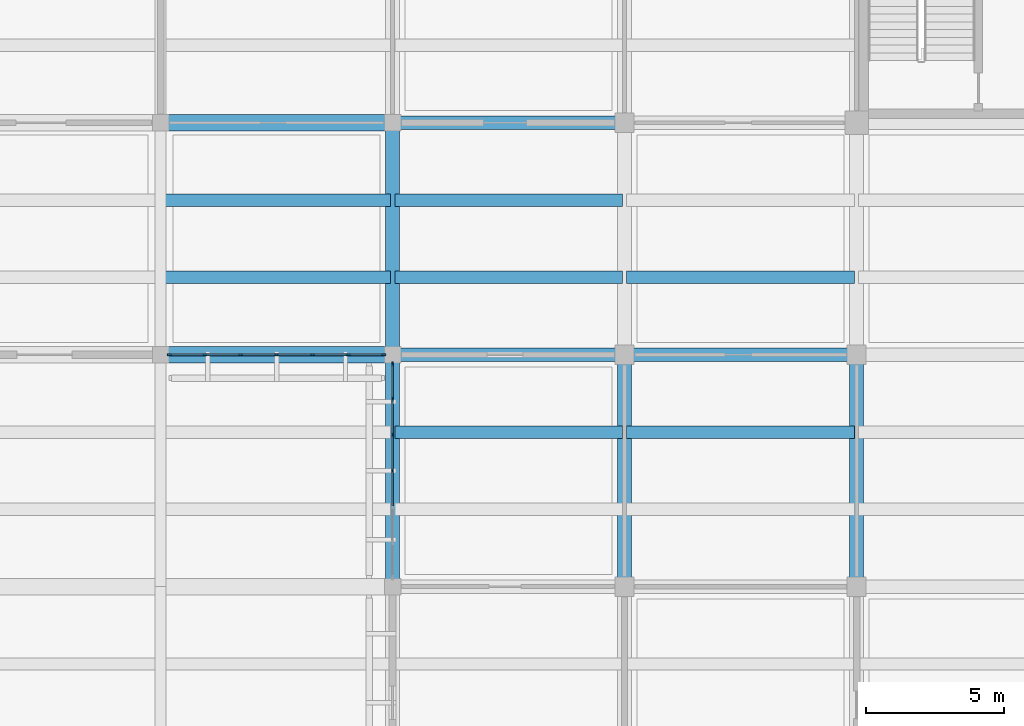
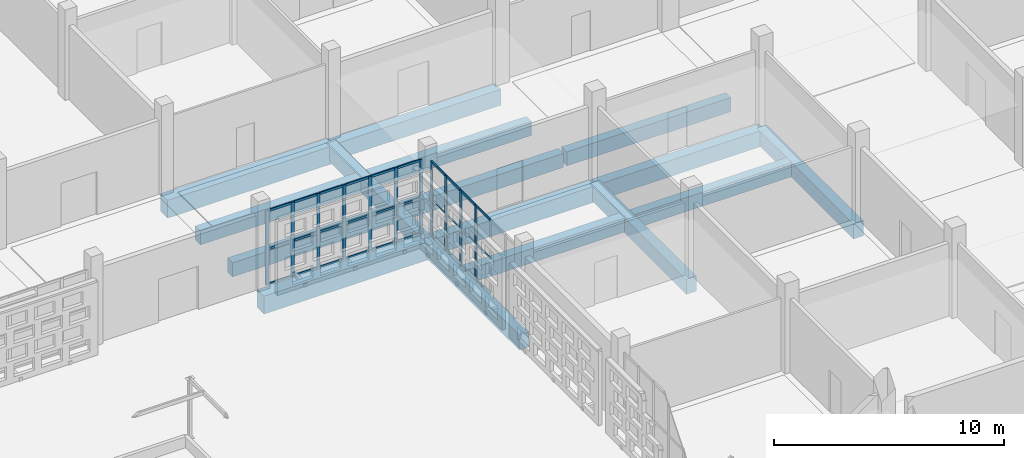
# One storey, part 43 of 129: 41 members, 16 beams, 2 elements without a shape of their own.
"""IFC4 building model written with IfcOpenShell, lengths in metres."""

from ifc_helpers import new_model, si_unit, direction, frame, origin, origin_2d, place, context, subcontext, project, spatial, rectangle, extrude, material, layer, layer_set, material_profile, profile_set, type_object, element, aggregate, save


model = new_model("IFC4")

# Units and contexts
model_context = context("Model", 3, precision=1e-05, world=origin(), true_north=direction((0.0, 1.0)))
body_context = subcontext(model_context, "Body", "Model", "MODEL_VIEW")
ifc_project = project(units=[si_unit("LENGTHUNIT", "METRE"), si_unit("AREAUNIT", "SQUARE_METRE"), si_unit("VOLUMEUNIT", "CUBIC_METRE"), si_unit("PLANEANGLEUNIT", "RADIAN"), si_unit("MASSUNIT", "GRAM", prefix="KILO")], contexts=[model_context])

# Site, building, storey
site_placement = place(None, origin())
site = spatial("IfcSite", under=ifc_project, at=site_placement, CompositionType="ELEMENT")
building_placement = place(site_placement, origin())
building = spatial("IfcBuilding", under=site, at=building_placement, Name="Varnapada Polytechnic", CompositionType="ELEMENT")
storey_placement = place(building_placement, origin())
storey = spatial("IfcBuildingStorey", under=building, at=storey_placement, Name="L00", CompositionType="ELEMENT", Elevation=0.0)

# Beams
ifc_material_1 = material(Name="Concrete C40/50", Category="concrete")
ifc_material_profile_1 = material_profile(ifc_material_1, rectangle(XDim=0.449951171875, YDim=0.75, at=origin_2d()), Name="RC 450x750")
ifc_profile_set_1 = profile_set([ifc_material_profile_1], Name="Concrete C40/50")
beam_type_1 = type_object("IfcBeamType", Name="Basement/podium secondary beam BB-01 (RC 450x750)", PredefinedType="BEAM", material=ifc_profile_set_1)
for number, where, z_axis, x_axis, name in (
    (1, (126.080078125, 86.800048828125, -0.695068359375), (1.0, 0.0, 0.0), (0.0, 1.0, 0.0), "L00 floor joist 16/11.1"),
    (2, (126.080078125, 89.60009765625, -0.695068359375), (1.0, 0.0, 0.0), (0.0, 1.0, 0.0), "L00 floor joist 16/11.2"),
    (3, (134.47998046875, 81.199951171875, -0.675048828125), (1.0, 0.0, 0.0), (0.0, 1.0, 0.0), "L00 floor joist 17/10.2"),
    (4, (134.47998046875, 86.800048828125, -0.695068359375), (1.0, 0.0, 0.0), (0.0, 1.0, 0.0), "L00 floor joist 17/11.1"),
    (5, (134.47998046875, 89.60009765625, -0.695068359375), (1.0, 0.0, 0.0), (0.0, 1.0, 0.0), "L00 floor joist 17/11.2"),
):
    element("IfcBeam", number, at=place(storey_placement, frame(where, z_axis=z_axis, x_axis=x_axis)), inside=storey, type_object=beam_type_1, Name=name, PredefinedType="BEAM", context=body_context, shape_type="SweptSolid", body=[
        extrude(rectangle(XDim=0.449951171875, YDim=0.75, at=origin_2d()), origin(), (0.0, 0.0, 1.0), 8.239990234375),
    ])
for number, where, z_axis, x_axis, name in (
    (6, (142.8798828125, 81.199951171875, -0.675048828125), (1.0, 0.0, 0.0), (0.0, 1.0, 0.0), "L00 floor joist 18/10.2"),
    (7, (142.8798828125, 86.800048828125, -0.675048828125), (1.0, 0.0, 0.0), (0.0, 1.0, 0.0), "L00 floor joist 18/11.1"),
):
    element("IfcBeam", number, at=place(storey_placement, frame(where, z_axis=z_axis, x_axis=x_axis)), inside=storey, type_object=beam_type_1, Name=name, PredefinedType="BEAM", context=body_context, shape_type="SweptSolid", body=[
        extrude(rectangle(XDim=0.449951171875, YDim=0.75, at=origin_2d()), origin(), (0.0, 0.0, 1.0), 8.240234375),
    ])

# Curtain wall, members
ifc_material_2 = material(Name="Double low-E laminated glass", Category="glass")
ifc_layer = layer(ifc_material_2, 0.159912109375)
ifc_layer_set = layer_set([ifc_layer], Name="Double low-E laminated glass")
curtain_wall_type = type_object("IfcCurtainWallType", Name="Curtain Wall CW-01", PredefinedType="NOTDEFINED", material=ifc_layer_set)
curtain_wall_1_placement = place(storey_placement, origin())
curtain_wall_1 = element("IfcCurtainWall", 8, at=curtain_wall_1_placement, inside=storey, type_object=curtain_wall_type, Name="L00 unitised curtain wall CW-01 (15)", PredefinedType="NOTDEFINED")
ifc_material_3 = material(Name="Anodised aluminium", Category="aluminium")
ifc_material_profile_2 = material_profile(ifc_material_3, rectangle(XDim=0.06005859375, YDim=0.159912109375, at=origin_2d()), Name="ALU M60x160")
ifc_profile_set_2 = profile_set([ifc_material_profile_2], Name="Anodised aluminium")
member_type_1 = type_object("IfcMemberType", Name="Mullion M-01", PredefinedType="MULLION", material=ifc_profile_set_2)
member_1_placement = place(storey_placement, frame((134.070068359375, 84.0, 0.0), z_axis=(0.0, 0.0, 1.0), x_axis=(0.0, -1.0, 0.0)))
member_1 = element("IfcMember", 9, at=member_1_placement, type_object=member_type_1, Name="CW-01 mullion 1", PredefinedType="MULLION", context=body_context, shape_type="SweptSolid", body=[
    extrude(rectangle(XDim=0.06005859375, YDim=0.159912109375, at=origin_2d()), origin(), (0.0, 0.0, 1.0), 3.9599609375),
])
member_2_placement = place(storey_placement, frame((132.800048828125, 84.0, 0.0), z_axis=(0.0, 0.0, 1.0), x_axis=(0.0, -1.0, 0.0)))
member_2 = element("IfcMember", 10, at=member_2_placement, type_object=member_type_1, Name="CW-01 mullion 2", PredefinedType="MULLION", context=body_context, shape_type="SweptSolid", body=[
    extrude(rectangle(XDim=0.06005859375, YDim=0.159912109375, at=origin_2d()), origin(), (0.0, 0.0, 1.0), 3.9599609375),
])
member_3_placement = place(storey_placement, frame((131.5, 84.0, 0.0), z_axis=(0.0, 0.0, 1.0), x_axis=(0.0, -1.0, 0.0)))
member_3 = element("IfcMember", 11, at=member_3_placement, type_object=member_type_1, Name="CW-01 mullion 3", PredefinedType="MULLION", context=body_context, shape_type="SweptSolid", body=[
    extrude(rectangle(XDim=0.06005859375, YDim=0.159912109375, at=origin_2d()), origin(), (0.0, 0.0, 1.0), 3.9599609375),
])
member_4_placement = place(storey_placement, frame((130.199951171875, 84.0, 0.0), z_axis=(0.0, 0.0, 1.0), x_axis=(0.0, -1.0, 0.0)))
member_4 = element("IfcMember", 12, at=member_4_placement, type_object=member_type_1, Name="CW-01 mullion 4", PredefinedType="MULLION", context=body_context, shape_type="SweptSolid", body=[
    extrude(rectangle(XDim=0.06005859375, YDim=0.159912109375, at=origin_2d()), origin(), (0.0, 0.0, 1.0), 3.9599609375),
])
member_5_placement = place(storey_placement, frame((128.89990234375, 84.0, 0.0), z_axis=(0.0, 0.0, 1.0), x_axis=(0.0, -1.0, 0.0)))
member_5 = element("IfcMember", 13, at=member_5_placement, type_object=member_type_1, Name="CW-01 mullion 5", PredefinedType="MULLION", context=body_context, shape_type="SweptSolid", body=[
    extrude(rectangle(XDim=0.06005859375, YDim=0.159912109375, at=origin_2d()), origin(), (0.0, 0.0, 1.0), 3.9599609375),
])
member_6_placement = place(storey_placement, frame((127.60009765625, 84.0, 0.0), z_axis=(0.0, 0.0, 1.0), x_axis=(0.0, -1.0, 0.0)))
member_6 = element("IfcMember", 14, at=member_6_placement, type_object=member_type_1, Name="CW-01 mullion 6", PredefinedType="MULLION", context=body_context, shape_type="SweptSolid", body=[
    extrude(rectangle(XDim=0.06005859375, YDim=0.159912109375, at=origin_2d()), origin(), (0.0, 0.0, 1.0), 3.9599609375),
])
member_7_placement = place(storey_placement, frame((126.330078125, 84.0, 0.0), z_axis=(0.0, 0.0, 1.0), x_axis=(0.0, -1.0, 0.0)))
member_7 = element("IfcMember", 15, at=member_7_placement, type_object=member_type_1, Name="CW-01 mullion 7", PredefinedType="MULLION", context=body_context, shape_type="SweptSolid", body=[
    extrude(rectangle(XDim=0.06005859375, YDim=0.159912109375, at=origin_2d()), origin(), (0.0, 0.0, 1.0), 3.9599609375),
])

curtain_wall_2_placement = place(storey_placement, origin())
curtain_wall_2 = element("IfcCurtainWall", 16, at=curtain_wall_2_placement, inside=storey, type_object=curtain_wall_type, Name="L00 unitised curtain wall CW-01 (18)", PredefinedType="NOTDEFINED")
member_8_placement = place(storey_placement, frame((134.39990234375, 79.800048828125, 0.0), z_axis=(0.0, 0.0, 1.0), x_axis=(-1.0, 0.0, 0.0)))
member_8 = element("IfcMember", 17, at=member_8_placement, type_object=member_type_1, Name="CW-01 mullion 4", PredefinedType="MULLION", context=body_context, shape_type="SweptSolid", body=[
    extrude(rectangle(XDim=0.06005859375, YDim=0.159912109375, at=origin_2d()), origin(), (0.0, 0.0, 1.0), 3.9599609375),
])
member_9_placement = place(storey_placement, frame((134.39990234375, 81.10009765625, 0.0), z_axis=(0.0, 0.0, 1.0), x_axis=(-1.0, 0.0, 0.0)))
member_9 = element("IfcMember", 18, at=member_9_placement, type_object=member_type_1, Name="CW-01 mullion 5", PredefinedType="MULLION", context=body_context, shape_type="SweptSolid", body=[
    extrude(rectangle(XDim=0.06005859375, YDim=0.159912109375, at=origin_2d()), origin(), (0.0, 0.0, 1.0), 3.9599609375),
])
member_10_placement = place(storey_placement, frame((134.39990234375, 82.39990234375, 0.0), z_axis=(0.0, 0.0, 1.0), x_axis=(-1.0, 0.0, 0.0)))
member_10 = element("IfcMember", 19, at=member_10_placement, type_object=member_type_1, Name="CW-01 mullion 6", PredefinedType="MULLION", context=body_context, shape_type="SweptSolid", body=[
    extrude(rectangle(XDim=0.06005859375, YDim=0.159912109375, at=origin_2d()), origin(), (0.0, 0.0, 1.0), 3.9599609375),
])
member_11_placement = place(storey_placement, frame((134.39990234375, 83.669921875, 0.0), z_axis=(0.0, 0.0, 1.0), x_axis=(-1.0, 0.0, 0.0)))
member_11 = element("IfcMember", 20, at=member_11_placement, type_object=member_type_1, Name="CW-01 mullion 7", PredefinedType="MULLION", context=body_context, shape_type="SweptSolid", body=[
    extrude(rectangle(XDim=0.06005859375, YDim=0.159912109375, at=origin_2d()), origin(), (0.0, 0.0, 1.0), 3.9599609375),
])

# Beams
ifc_material_profile_3 = material_profile(ifc_material_1, rectangle(XDim=0.5, YDim=0.800048828125, at=origin_2d()), Name="RC 500x800")
ifc_profile_set_3 = profile_set([ifc_material_profile_3], Name="Concrete C40/50")
beam_type_2 = type_object("IfcBeamType", Name="Refectory podium girder BB-03 (RC 500x800)", PredefinedType="BEAM", material=ifc_profile_set_3)
for number, where, z_axis, x_axis, name in (
    (21, (134.39990234375, 75.60009765625, -0.719970703125), (0.0, 1.0, 0.0), (-1.0, 0.0, 0.0), "L00 beam Y 10-11 at X17"),
    (22, (134.39990234375, 84.0, -0.719970703125), (0.0, 1.0, 0.0), (-1.0, 0.0, 0.0), "L00 beam Y 11-12 at X17"),
    (23, (142.800048828125, 75.60009765625, -0.699951171875), (0.0, 1.0, 0.0), (-1.0, 0.0, 0.0), "L00 beam Y 10-11 at X18"),
    (24, (151.199951171875, 75.60009765625, -0.699951171875), (0.0, 1.0, 0.0), (-1.0, 0.0, 0.0), "L00 beam Y 10-11 at X19"),
):
    element("IfcBeam", number, at=place(storey_placement, frame(where, z_axis=z_axis, x_axis=x_axis)), inside=storey, type_object=beam_type_2, Name=name, PredefinedType="BEAM", context=body_context, shape_type="SweptSolid", body=[
        extrude(rectangle(XDim=0.5, YDim=0.800048828125, at=origin_2d()), origin(), (0.0, 0.0, 1.0), 8.39990234375),
    ])
ifc_material_profile_4 = material_profile(ifc_material_1, rectangle(XDim=0.5, YDim=0.85009765625, at=origin_2d()), Name="RC 500x850")
ifc_profile_set_4 = profile_set([ifc_material_profile_4], Name="Concrete C40/50")
beam_type_3 = type_object("IfcBeamType", Name="Standard podium primary girder BG-02 (RC 500x850)", PredefinedType="T_BEAM", material=ifc_profile_set_4)
for number, where, z_axis, x_axis, name in (
    (25, (134.39990234375, 84.0, -0.7451171875), (1.0, 0.0, 0.0), (0.0, 1.0, 0.0), "L00 beam X 17-18 at Y11"),
    (26, (134.39990234375, 92.39990234375, -0.7451171875), (1.0, 0.0, 0.0), (0.0, 1.0, 0.0), "L00 beam X 17-18 at Y12"),
):
    element("IfcBeam", number, at=place(storey_placement, frame(where, z_axis=z_axis, x_axis=x_axis)), inside=storey, type_object=beam_type_3, Name=name, PredefinedType="T_BEAM", context=body_context, shape_type="SweptSolid", body=[
        extrude(rectangle(XDim=0.5, YDim=0.85009765625, at=origin_2d()), origin(), (0.0, 0.0, 1.0), 8.400146484375),
    ])
beam_placement = place(storey_placement, frame((142.800048828125, 84.0, -0.72509765625), z_axis=(1.0, 0.0, 0.0), x_axis=(0.0, 1.0, 0.0)))
element("IfcBeam", 27, at=beam_placement, inside=storey, type_object=beam_type_3, Name="L00 beam X 18-19 at Y11", PredefinedType="T_BEAM", context=body_context, shape_type="SweptSolid", body=[
    extrude(rectangle(XDim=0.5, YDim=0.85009765625, at=origin_2d()), origin(), (0.0, 0.0, 1.0), 8.39990234375),
])

# Member
ifc_material_profile_5 = material_profile(ifc_material_3, rectangle(XDim=0.06005859375, YDim=0.1201171875, at=origin_2d()), Name="ALU T60x120")
ifc_profile_set_5 = profile_set([ifc_material_profile_5], Name="Anodised aluminium")
member_type_2 = type_object("IfcMemberType", Name="Transom T-01", PredefinedType="USERDEFINED", material=ifc_profile_set_5)
member_12_placement = place(storey_placement, frame((134.0400390625, 84.0, 0.030029296875), z_axis=(-1.0, 0.0, 0.0), x_axis=(0.0, -1.0, 0.0)))
member_12 = element("IfcMember", 28, at=member_12_placement, type_object=member_type_2, Name="CW-01 transom 1.1", ObjectType="TRANSOM", PredefinedType="USERDEFINED", context=body_context, shape_type="SweptSolid", body=[
    extrude(rectangle(XDim=0.06005859375, YDim=0.1201171875, at=origin_2d()), origin(), (0.0, 0.0, 1.0), 1.2099609375),
])

member_13_placement = place(storey_placement, frame((134.0400390625, 84.0, 1.90087890625), z_axis=(-1.0, 0.0, 0.0), x_axis=(0.0, -1.0, 0.0)))
member_13 = element("IfcMember", 29, at=member_13_placement, type_object=member_type_2, Name="CW-01 transom 1.2", ObjectType="TRANSOM", PredefinedType="USERDEFINED", context=body_context, shape_type="SweptSolid", body=[
    extrude(rectangle(XDim=0.06005859375, YDim=0.1201171875, at=origin_2d()), origin(), (0.0, 0.0, 1.0), 1.2099609375),
])

member_14_placement = place(storey_placement, frame((134.0400390625, 84.0, 3.929931640625), z_axis=(-1.0, 0.0, 0.0), x_axis=(0.0, -1.0, 0.0)))
member_14 = element("IfcMember", 30, at=member_14_placement, type_object=member_type_2, Name="CW-01 transom 1.3", ObjectType="TRANSOM", PredefinedType="USERDEFINED", context=body_context, shape_type="SweptSolid", body=[
    extrude(rectangle(XDim=0.06005859375, YDim=0.1201171875, at=origin_2d()), origin(), (0.0, 0.0, 1.0), 1.2099609375),
])

member_15_placement = place(storey_placement, frame((132.77001953125, 84.0, 0.030029296875), z_axis=(-1.0, 0.0, 0.0), x_axis=(0.0, -1.0, 0.0)))
member_15 = element("IfcMember", 31, at=member_15_placement, type_object=member_type_2, Name="CW-01 transom 2.1", ObjectType="TRANSOM", PredefinedType="USERDEFINED", context=body_context, shape_type="SweptSolid", body=[
    extrude(rectangle(XDim=0.06005859375, YDim=0.1201171875, at=origin_2d()), origin(), (0.0, 0.0, 1.0), 1.239990234375),
])

member_16_placement = place(storey_placement, frame((132.77001953125, 84.0, 1.90087890625), z_axis=(-1.0, 0.0, 0.0), x_axis=(0.0, -1.0, 0.0)))
member_16 = element("IfcMember", 32, at=member_16_placement, type_object=member_type_2, Name="CW-01 transom 2.2", ObjectType="TRANSOM", PredefinedType="USERDEFINED", context=body_context, shape_type="SweptSolid", body=[
    extrude(rectangle(XDim=0.06005859375, YDim=0.1201171875, at=origin_2d()), origin(), (0.0, 0.0, 1.0), 1.239990234375),
])

member_17_placement = place(storey_placement, frame((132.77001953125, 84.0, 3.929931640625), z_axis=(-1.0, 0.0, 0.0), x_axis=(0.0, -1.0, 0.0)))
member_17 = element("IfcMember", 33, at=member_17_placement, type_object=member_type_2, Name="CW-01 transom 2.3", ObjectType="TRANSOM", PredefinedType="USERDEFINED", context=body_context, shape_type="SweptSolid", body=[
    extrude(rectangle(XDim=0.06005859375, YDim=0.1201171875, at=origin_2d()), origin(), (0.0, 0.0, 1.0), 1.239990234375),
])

member_18_placement = place(storey_placement, frame((131.469970703125, 84.0, 0.030029296875), z_axis=(-1.0, 0.0, 0.0), x_axis=(0.0, -1.0, 0.0)))
member_18 = element("IfcMember", 34, at=member_18_placement, type_object=member_type_2, Name="CW-01 transom 3.1", ObjectType="TRANSOM", PredefinedType="USERDEFINED", context=body_context, shape_type="SweptSolid", body=[
    extrude(rectangle(XDim=0.06005859375, YDim=0.1201171875, at=origin_2d()), origin(), (0.0, 0.0, 1.0), 1.239990234375),
])

member_19_placement = place(storey_placement, frame((131.469970703125, 84.0, 1.90087890625), z_axis=(-1.0, 0.0, 0.0), x_axis=(0.0, -1.0, 0.0)))
member_19 = element("IfcMember", 35, at=member_19_placement, type_object=member_type_2, Name="CW-01 transom 3.2", ObjectType="TRANSOM", PredefinedType="USERDEFINED", context=body_context, shape_type="SweptSolid", body=[
    extrude(rectangle(XDim=0.06005859375, YDim=0.1201171875, at=origin_2d()), origin(), (0.0, 0.0, 1.0), 1.239990234375),
])

member_20_placement = place(storey_placement, frame((131.469970703125, 84.0, 3.929931640625), z_axis=(-1.0, 0.0, 0.0), x_axis=(0.0, -1.0, 0.0)))
member_20 = element("IfcMember", 36, at=member_20_placement, type_object=member_type_2, Name="CW-01 transom 3.3", ObjectType="TRANSOM", PredefinedType="USERDEFINED", context=body_context, shape_type="SweptSolid", body=[
    extrude(rectangle(XDim=0.06005859375, YDim=0.1201171875, at=origin_2d()), origin(), (0.0, 0.0, 1.0), 1.239990234375),
])

member_21_placement = place(storey_placement, frame((130.169921875, 84.0, 0.030029296875), z_axis=(-1.0, 0.0, 0.0), x_axis=(0.0, -1.0, 0.0)))
member_21 = element("IfcMember", 37, at=member_21_placement, type_object=member_type_2, Name="CW-01 transom 4.1", ObjectType="TRANSOM", PredefinedType="USERDEFINED", context=body_context, shape_type="SweptSolid", body=[
    extrude(rectangle(XDim=0.06005859375, YDim=0.1201171875, at=origin_2d()), origin(), (0.0, 0.0, 1.0), 1.239990234375),
])

member_22_placement = place(storey_placement, frame((130.169921875, 84.0, 1.90087890625), z_axis=(-1.0, 0.0, 0.0), x_axis=(0.0, -1.0, 0.0)))
member_22 = element("IfcMember", 38, at=member_22_placement, type_object=member_type_2, Name="CW-01 transom 4.2", ObjectType="TRANSOM", PredefinedType="USERDEFINED", context=body_context, shape_type="SweptSolid", body=[
    extrude(rectangle(XDim=0.06005859375, YDim=0.1201171875, at=origin_2d()), origin(), (0.0, 0.0, 1.0), 1.239990234375),
])

member_23_placement = place(storey_placement, frame((130.169921875, 84.0, 3.929931640625), z_axis=(-1.0, 0.0, 0.0), x_axis=(0.0, -1.0, 0.0)))
member_23 = element("IfcMember", 39, at=member_23_placement, type_object=member_type_2, Name="CW-01 transom 4.3", ObjectType="TRANSOM", PredefinedType="USERDEFINED", context=body_context, shape_type="SweptSolid", body=[
    extrude(rectangle(XDim=0.06005859375, YDim=0.1201171875, at=origin_2d()), origin(), (0.0, 0.0, 1.0), 1.239990234375),
])

member_24_placement = place(storey_placement, frame((128.8701171875, 84.0, 0.030029296875), z_axis=(-1.0, 0.0, 0.0), x_axis=(0.0, -1.0, 0.0)))
member_24 = element("IfcMember", 40, at=member_24_placement, type_object=member_type_2, Name="CW-01 transom 5.1", ObjectType="TRANSOM", PredefinedType="USERDEFINED", context=body_context, shape_type="SweptSolid", body=[
    extrude(rectangle(XDim=0.06005859375, YDim=0.1201171875, at=origin_2d()), origin(), (0.0, 0.0, 1.0), 1.240234375),
])

member_25_placement = place(storey_placement, frame((128.8701171875, 84.0, 1.90087890625), z_axis=(-1.0, 0.0, 0.0), x_axis=(0.0, -1.0, 0.0)))
member_25 = element("IfcMember", 41, at=member_25_placement, type_object=member_type_2, Name="CW-01 transom 5.2", ObjectType="TRANSOM", PredefinedType="USERDEFINED", context=body_context, shape_type="SweptSolid", body=[
    extrude(rectangle(XDim=0.06005859375, YDim=0.1201171875, at=origin_2d()), origin(), (0.0, 0.0, 1.0), 1.240234375),
])

member_26_placement = place(storey_placement, frame((128.8701171875, 84.0, 3.929931640625), z_axis=(-1.0, 0.0, 0.0), x_axis=(0.0, -1.0, 0.0)))
member_26 = element("IfcMember", 42, at=member_26_placement, type_object=member_type_2, Name="CW-01 transom 5.3", ObjectType="TRANSOM", PredefinedType="USERDEFINED", context=body_context, shape_type="SweptSolid", body=[
    extrude(rectangle(XDim=0.06005859375, YDim=0.1201171875, at=origin_2d()), origin(), (0.0, 0.0, 1.0), 1.240234375),
])

member_27_placement = place(storey_placement, frame((127.570068359375, 84.0, 0.030029296875), z_axis=(-1.0, 0.0, 0.0), x_axis=(0.0, -1.0, 0.0)))
member_27 = element("IfcMember", 43, at=member_27_placement, type_object=member_type_2, Name="CW-01 transom 6.1", ObjectType="TRANSOM", PredefinedType="USERDEFINED", context=body_context, shape_type="SweptSolid", body=[
    extrude(rectangle(XDim=0.06005859375, YDim=0.1201171875, at=origin_2d()), origin(), (0.0, 0.0, 1.0), 1.2099609375),
])

member_28_placement = place(storey_placement, frame((127.570068359375, 84.0, 1.90087890625), z_axis=(-1.0, 0.0, 0.0), x_axis=(0.0, -1.0, 0.0)))
member_28 = element("IfcMember", 44, at=member_28_placement, type_object=member_type_2, Name="CW-01 transom 6.2", ObjectType="TRANSOM", PredefinedType="USERDEFINED", context=body_context, shape_type="SweptSolid", body=[
    extrude(rectangle(XDim=0.06005859375, YDim=0.1201171875, at=origin_2d()), origin(), (0.0, 0.0, 1.0), 1.2099609375),
])

member_29_placement = place(storey_placement, frame((127.570068359375, 84.0, 3.929931640625), z_axis=(-1.0, 0.0, 0.0), x_axis=(0.0, -1.0, 0.0)))
member_29 = element("IfcMember", 45, at=member_29_placement, type_object=member_type_2, Name="CW-01 transom 6.3", ObjectType="TRANSOM", PredefinedType="USERDEFINED", context=body_context, shape_type="SweptSolid", body=[
    extrude(rectangle(XDim=0.06005859375, YDim=0.1201171875, at=origin_2d()), origin(), (0.0, 0.0, 1.0), 1.2099609375),
])

aggregate(curtain_wall_1, [member_1, member_2, member_3, member_4, member_5, member_6, member_7, member_12, member_13, member_14, member_15, member_16, member_17, member_18, member_19, member_20, member_21, member_22, member_23, member_24, member_25, member_26, member_27, member_28, member_29])

member_30_placement = place(storey_placement, frame((134.39990234375, 78.530029296875, 0.030029296875), z_axis=(0.0, 1.0, 0.0), x_axis=(-1.0, 0.0, 0.0)))
member_30 = element("IfcMember", 46, at=member_30_placement, type_object=member_type_2, Name="CW-01 transom 3.1", ObjectType="TRANSOM", PredefinedType="USERDEFINED", context=body_context, shape_type="SweptSolid", body=[
    extrude(rectangle(XDim=0.06005859375, YDim=0.1201171875, at=origin_2d()), origin(), (0.0, 0.0, 1.0), 1.239990234375),
])

member_31_placement = place(storey_placement, frame((134.39990234375, 78.530029296875, 1.90087890625), z_axis=(0.0, 1.0, 0.0), x_axis=(-1.0, 0.0, 0.0)))
member_31 = element("IfcMember", 47, at=member_31_placement, type_object=member_type_2, Name="CW-01 transom 3.2", ObjectType="TRANSOM", PredefinedType="USERDEFINED", context=body_context, shape_type="SweptSolid", body=[
    extrude(rectangle(XDim=0.06005859375, YDim=0.1201171875, at=origin_2d()), origin(), (0.0, 0.0, 1.0), 1.239990234375),
])

member_32_placement = place(storey_placement, frame((134.39990234375, 78.530029296875, 3.929931640625), z_axis=(0.0, 1.0, 0.0), x_axis=(-1.0, 0.0, 0.0)))
member_32 = element("IfcMember", 48, at=member_32_placement, type_object=member_type_2, Name="CW-01 transom 3.3", ObjectType="TRANSOM", PredefinedType="USERDEFINED", context=body_context, shape_type="SweptSolid", body=[
    extrude(rectangle(XDim=0.06005859375, YDim=0.1201171875, at=origin_2d()), origin(), (0.0, 0.0, 1.0), 1.239990234375),
])

member_33_placement = place(storey_placement, frame((134.39990234375, 79.830078125, 0.030029296875), z_axis=(0.0, 1.0, 0.0), x_axis=(-1.0, 0.0, 0.0)))
member_33 = element("IfcMember", 49, at=member_33_placement, type_object=member_type_2, Name="CW-01 transom 4.1", ObjectType="TRANSOM", PredefinedType="USERDEFINED", context=body_context, shape_type="SweptSolid", body=[
    extrude(rectangle(XDim=0.06005859375, YDim=0.1201171875, at=origin_2d()), origin(), (0.0, 0.0, 1.0), 1.239990234375),
])

member_34_placement = place(storey_placement, frame((134.39990234375, 79.830078125, 1.90087890625), z_axis=(0.0, 1.0, 0.0), x_axis=(-1.0, 0.0, 0.0)))
member_34 = element("IfcMember", 50, at=member_34_placement, type_object=member_type_2, Name="CW-01 transom 4.2", ObjectType="TRANSOM", PredefinedType="USERDEFINED", context=body_context, shape_type="SweptSolid", body=[
    extrude(rectangle(XDim=0.06005859375, YDim=0.1201171875, at=origin_2d()), origin(), (0.0, 0.0, 1.0), 1.239990234375),
])

member_35_placement = place(storey_placement, frame((134.39990234375, 79.830078125, 3.929931640625), z_axis=(0.0, 1.0, 0.0), x_axis=(-1.0, 0.0, 0.0)))
member_35 = element("IfcMember", 51, at=member_35_placement, type_object=member_type_2, Name="CW-01 transom 4.3", ObjectType="TRANSOM", PredefinedType="USERDEFINED", context=body_context, shape_type="SweptSolid", body=[
    extrude(rectangle(XDim=0.06005859375, YDim=0.1201171875, at=origin_2d()), origin(), (0.0, 0.0, 1.0), 1.239990234375),
])

member_36_placement = place(storey_placement, frame((134.39990234375, 81.1298828125, 0.030029296875), z_axis=(0.0, 1.0, 0.0), x_axis=(-1.0, 0.0, 0.0)))
member_36 = element("IfcMember", 52, at=member_36_placement, type_object=member_type_2, Name="CW-01 transom 5.1", ObjectType="TRANSOM", PredefinedType="USERDEFINED", context=body_context, shape_type="SweptSolid", body=[
    extrude(rectangle(XDim=0.06005859375, YDim=0.1201171875, at=origin_2d()), origin(), (0.0, 0.0, 1.0), 1.240234375),
])

member_37_placement = place(storey_placement, frame((134.39990234375, 81.1298828125, 1.90087890625), z_axis=(0.0, 1.0, 0.0), x_axis=(-1.0, 0.0, 0.0)))
member_37 = element("IfcMember", 53, at=member_37_placement, type_object=member_type_2, Name="CW-01 transom 5.2", ObjectType="TRANSOM", PredefinedType="USERDEFINED", context=body_context, shape_type="SweptSolid", body=[
    extrude(rectangle(XDim=0.06005859375, YDim=0.1201171875, at=origin_2d()), origin(), (0.0, 0.0, 1.0), 1.240234375),
])

member_38_placement = place(storey_placement, frame((134.39990234375, 81.1298828125, 3.929931640625), z_axis=(0.0, 1.0, 0.0), x_axis=(-1.0, 0.0, 0.0)))
member_38 = element("IfcMember", 54, at=member_38_placement, type_object=member_type_2, Name="CW-01 transom 5.3", ObjectType="TRANSOM", PredefinedType="USERDEFINED", context=body_context, shape_type="SweptSolid", body=[
    extrude(rectangle(XDim=0.06005859375, YDim=0.1201171875, at=origin_2d()), origin(), (0.0, 0.0, 1.0), 1.240234375),
])

member_39_placement = place(storey_placement, frame((134.39990234375, 82.429931640625, 0.030029296875), z_axis=(0.0, 1.0, 0.0), x_axis=(-1.0, 0.0, 0.0)))
member_39 = element("IfcMember", 55, at=member_39_placement, type_object=member_type_2, Name="CW-01 transom 6.1", ObjectType="TRANSOM", PredefinedType="USERDEFINED", context=body_context, shape_type="SweptSolid", body=[
    extrude(rectangle(XDim=0.06005859375, YDim=0.1201171875, at=origin_2d()), origin(), (0.0, 0.0, 1.0), 1.2099609375),
])

member_40_placement = place(storey_placement, frame((134.39990234375, 82.429931640625, 1.90087890625), z_axis=(0.0, 1.0, 0.0), x_axis=(-1.0, 0.0, 0.0)))
member_40 = element("IfcMember", 56, at=member_40_placement, type_object=member_type_2, Name="CW-01 transom 6.2", ObjectType="TRANSOM", PredefinedType="USERDEFINED", context=body_context, shape_type="SweptSolid", body=[
    extrude(rectangle(XDim=0.06005859375, YDim=0.1201171875, at=origin_2d()), origin(), (0.0, 0.0, 1.0), 1.2099609375),
])

member_41_placement = place(storey_placement, frame((134.39990234375, 82.429931640625, 3.929931640625), z_axis=(0.0, 1.0, 0.0), x_axis=(-1.0, 0.0, 0.0)))
member_41 = element("IfcMember", 57, at=member_41_placement, type_object=member_type_2, Name="CW-01 transom 6.3", ObjectType="TRANSOM", PredefinedType="USERDEFINED", context=body_context, shape_type="SweptSolid", body=[
    extrude(rectangle(XDim=0.06005859375, YDim=0.1201171875, at=origin_2d()), origin(), (0.0, 0.0, 1.0), 1.2099609375),
])

aggregate(curtain_wall_2, [member_8, member_9, member_10, member_11, member_30, member_31, member_32, member_33, member_34, member_35, member_36, member_37, member_38, member_39, member_40, member_41])

# Beams
ifc_material_profile_6 = material_profile(ifc_material_1, rectangle(XDim=0.60009765625, YDim=0.949951171875, at=origin_2d()), Name="RC 600x950")
ifc_profile_set_6 = profile_set([ifc_material_profile_6], Name="Concrete C40/50")
beam_type_4 = type_object("IfcBeamType", Name="Workshop podium heavy girder BG-03 (RC 600x950)", PredefinedType="T_BEAM", material=ifc_profile_set_6)
for number, where, z_axis, x_axis, name in (
    (58, (126.0, 84.0, -0.794921875), (1.0, 0.0, 0.0), (0.0, 1.0, 0.0), "L00 beam X 16-17 at Y11"),
    (59, (126.0, 92.39990234375, -0.794921875), (1.0, 0.0, 0.0), (0.0, 1.0, 0.0), "L00 beam X 16-17 at Y12"),
):
    element("IfcBeam", number, at=place(storey_placement, frame(where, z_axis=z_axis, x_axis=x_axis)), inside=storey, type_object=beam_type_4, Name=name, PredefinedType="T_BEAM", context=body_context, shape_type="SweptSolid", body=[
        extrude(rectangle(XDim=0.60009765625, YDim=0.949951171875, at=origin_2d()), origin(), (0.0, 0.0, 1.0), 8.39990234375),
    ])

save(model, "model.ifc")
